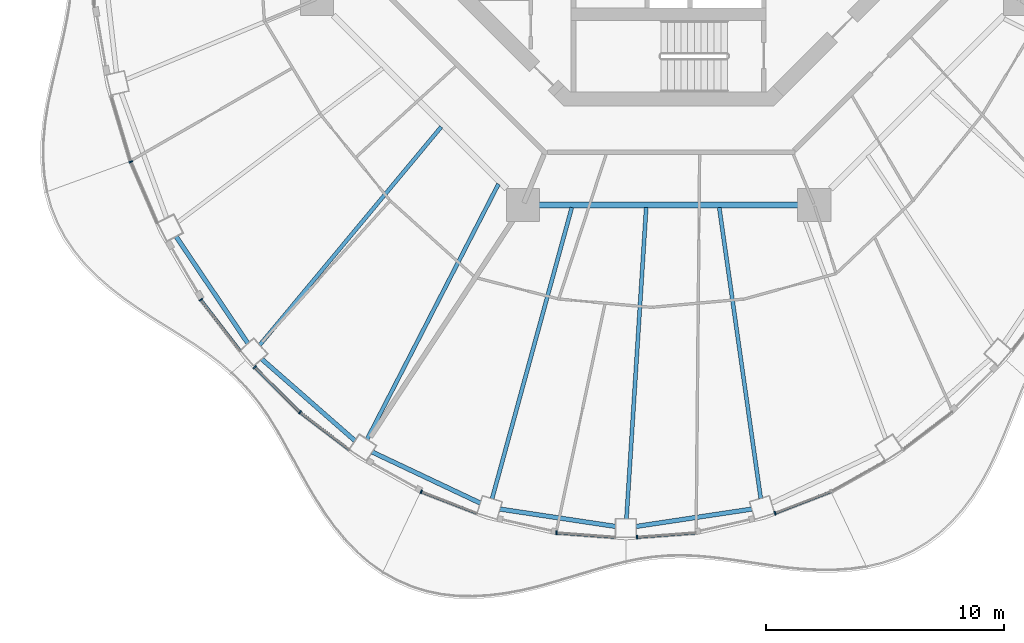
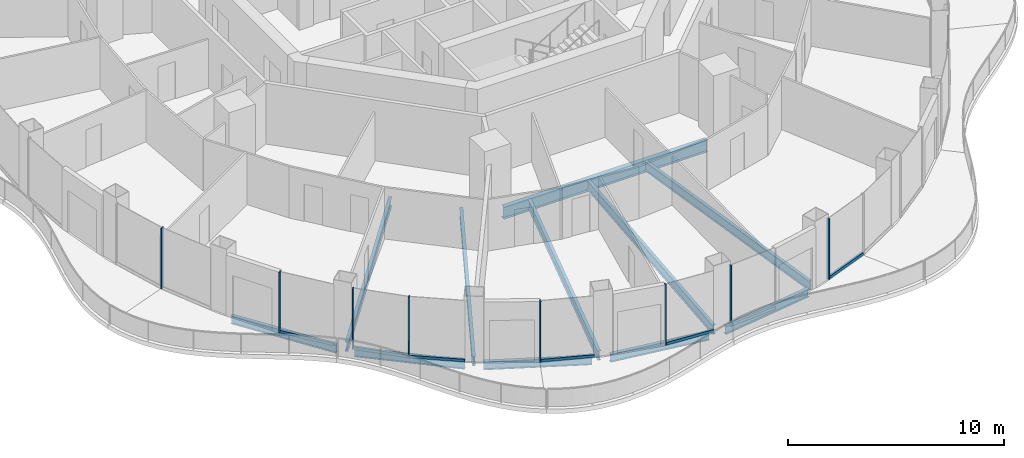
# One storey, part 2 of 17: 15 members, 11 beams, 8 elements without a shape of their own.
"""IFC4 building model written with IfcOpenShell, lengths in metres."""

from ifc_helpers import new_model, si_unit, direction, frame, origin, origin_2d, place, context, subcontext, project, spatial, rectangle, i_section, extrude, material, layer, layer_set, material_profile, profile_set, type_object, element, aggregate, save


model = new_model("IFC4")

# Units and contexts
model_context = context("Model", 3, precision=1e-05, world=origin(), true_north=direction((0.0, 1.0)))
body_context = subcontext(model_context, "Body", "Model", "MODEL_VIEW")
ifc_project = project(units=[si_unit("LENGTHUNIT", "METRE"), si_unit("AREAUNIT", "SQUARE_METRE"), si_unit("VOLUMEUNIT", "CUBIC_METRE"), si_unit("PLANEANGLEUNIT", "RADIAN"), si_unit("MASSUNIT", "GRAM", prefix="KILO")], contexts=[model_context])

# Site, building, storey
site_placement = place(None, origin())
site = spatial("IfcSite", under=ifc_project, at=site_placement, CompositionType="ELEMENT")
building_placement = place(site_placement, origin())
building = spatial("IfcBuilding", under=site, at=building_placement, Name="Nagisa Residences", CompositionType="ELEMENT")
storey_placement = place(building_placement, frame((0.0, 0.0, 265.89990234375)))
storey = spatial("IfcBuildingStorey", under=building, at=storey_placement, Name="L67", CompositionType="ELEMENT", Elevation=265.89990234375)

# Curtain wall, member
ifc_material_1 = material(Name="Concrete-coloured aluminium curtain wall system", Category="concrete")
ifc_layer = layer(ifc_material_1, 0.159912109375)
ifc_layer_set = layer_set([ifc_layer], Name="CW1 CURTAIN WALL")
curtain_wall_type = type_object("IfcCurtainWallType", Name="CW1 CURTAIN WALL", PredefinedType="NOTDEFINED", material=ifc_layer_set)
curtain_wall_1_placement = place(storey_placement, origin())
curtain_wall_1 = element("IfcCurtainWall", 1, at=curtain_wall_1_placement, inside=storey, type_object=curtain_wall_type, Name="cw:CW1:L67:27", PredefinedType="NOTDEFINED")
ifc_material_2 = material(Name="Concrete-coloured aluminium", Category="concrete")
ifc_material_profile_1 = material_profile(ifc_material_2, rectangle(XDim=0.159912109375, YDim=0.06005859375, at=origin_2d()), Name="CW1 MULLION 160x60")
ifc_profile_set_1 = profile_set([ifc_material_profile_1], Name="Concrete-coloured aluminium")
member_type_1 = type_object("IfcMemberType", Name="CW1 MULLION 160x60", PredefinedType="MULLION", material=ifc_profile_set_1)
member_1_placement = place(storey_placement, frame((-22.61279296875, -12.963623046875, 0.0), z_axis=(0.0, 0.0, 1.0), x_axis=(0.917543276295, 0.397635934147, 0.0)))
member_1 = element("IfcMember", 2, at=member_1_placement, type_object=member_type_1, Name="CW1 mullion", PredefinedType="MULLION", context=body_context, shape_type="SweptSolid", body=[
    extrude(rectangle(XDim=0.159912109375, YDim=0.06005859375, at=origin_2d()), origin(), (0.0, 0.0, 1.0), 3.440185546875),
])
aggregate(curtain_wall_1, [member_1])

curtain_wall_2_placement = place(storey_placement, origin())
curtain_wall_2 = element("IfcCurtainWall", 3, at=curtain_wall_2_placement, inside=storey, type_object=curtain_wall_type, Name="cw:CW1:L67:29", PredefinedType="NOTDEFINED")
member_2_placement = place(storey_placement, frame((-19.6640625, -18.76220703125, 0.0), z_axis=(0.0, 0.0, 1.0), x_axis=(0.792070340816, 0.610429828235, 0.0)))
member_2 = element("IfcMember", 4, at=member_2_placement, type_object=member_type_1, Name="CW1 mullion", PredefinedType="MULLION", context=body_context, shape_type="SweptSolid", body=[
    extrude(rectangle(XDim=0.159912109375, YDim=0.06005859375, at=origin_2d()), origin(), (0.0, 0.0, 1.0), 3.440185546875),
])

curtain_wall_3_placement = place(storey_placement, origin())
curtain_wall_3 = element("IfcCurtainWall", 5, at=curtain_wall_3_placement, inside=storey, type_object=curtain_wall_type, Name="cw:CW1:L67:30", PredefinedType="NOTDEFINED")
member_3_placement = place(storey_placement, frame((-17.3984375, -21.60107421875, 0.0), z_axis=(0.0, 0.0, 1.0), x_axis=(0.706376885714, 0.707835924016, 0.0)))
member_3 = element("IfcMember", 6, at=member_3_placement, type_object=member_type_1, Name="CW1 mullion", PredefinedType="MULLION", context=body_context, shape_type="SweptSolid", body=[
    extrude(rectangle(XDim=0.159912109375, YDim=0.06005859375, at=origin_2d()), origin(), (0.0, 0.0, 1.0), 3.440185546875),
])

curtain_wall_4_placement = place(storey_placement, origin())
curtain_wall_4 = element("IfcCurtainWall", 7, at=curtain_wall_4_placement, inside=storey, type_object=curtain_wall_type, Name="cw:CW1:L67:31", PredefinedType="NOTDEFINED")
member_4_placement = place(storey_placement, frame((-15.497802734375, -23.4931640625, 0.0), z_axis=(0.0, 0.0, 1.0), x_axis=(0.605255421737, 0.79603132756, 0.0)))
member_4 = element("IfcMember", 8, at=member_4_placement, type_object=member_type_1, Name="CW1 mullion", PredefinedType="MULLION", context=body_context, shape_type="SweptSolid", body=[
    extrude(rectangle(XDim=0.159912109375, YDim=0.06005859375, at=origin_2d()), origin(), (0.0, 0.0, 1.0), 3.440185546875),
])

curtain_wall_5_placement = place(storey_placement, origin())
curtain_wall_5 = element("IfcCurtainWall", 9, at=curtain_wall_5_placement, inside=storey, type_object=curtain_wall_type, Name="cw:CW1:L67:33", PredefinedType="NOTDEFINED")
member_5_placement = place(storey_placement, frame((-10.3994140625, -26.83447265625, 0.0), z_axis=(0.0, 0.0, 1.0), x_axis=(0.360327770268, 0.932825759707, 0.0)))
member_5 = element("IfcMember", 10, at=member_5_placement, type_object=member_type_1, Name="CW1 mullion", PredefinedType="MULLION", context=body_context, shape_type="SweptSolid", body=[
    extrude(rectangle(XDim=0.159912109375, YDim=0.06005859375, at=origin_2d()), origin(), (0.0, 0.0, 1.0), 3.440185546875),
])

curtain_wall_6_placement = place(storey_placement, origin())
curtain_wall_6 = element("IfcCurtainWall", 11, at=curtain_wall_6_placement, inside=storey, type_object=curtain_wall_type, Name="cw:CW1:L67:35", PredefinedType="NOTDEFINED")
member_6_placement = place(storey_placement, frame((-4.716552734375, -28.559814453125, 0.0), z_axis=(0.0, 0.0, 1.0), x_axis=(0.074377355493, 0.997230168512, 0.0)))
member_6 = element("IfcMember", 12, at=member_6_placement, type_object=member_type_1, Name="CW1 mullion", PredefinedType="MULLION", context=body_context, shape_type="SweptSolid", body=[
    extrude(rectangle(XDim=0.159912109375, YDim=0.06005859375, at=origin_2d()), origin(), (0.0, 0.0, 1.0), 3.440185546875),
])

curtain_wall_7_placement = place(storey_placement, origin())
curtain_wall_7 = element("IfcCurtainWall", 13, at=curtain_wall_7_placement, inside=storey, type_object=curtain_wall_type, Name="cw:CW1:L67:36", PredefinedType="NOTDEFINED")
member_7_placement = place(storey_placement, frame((-1.327392578125, -28.7421875, 0.0), z_axis=(0.0, 0.0, 1.0), x_axis=(-0.074377355493, 0.997230168512, 0.0)))
member_7 = element("IfcMember", 14, at=member_7_placement, type_object=member_type_1, Name="CW1 mullion", PredefinedType="MULLION", context=body_context, shape_type="SweptSolid", body=[
    extrude(rectangle(XDim=0.159912109375, YDim=0.06005859375, at=origin_2d()), origin(), (0.0, 0.0, 1.0), 3.440185546875),
])

curtain_wall_8_placement = place(storey_placement, origin())
curtain_wall_8 = element("IfcCurtainWall", 15, at=curtain_wall_8_placement, inside=storey, type_object=curtain_wall_type, Name="cw:CW1:L67:38", PredefinedType="NOTDEFINED")
member_8_placement = place(storey_placement, frame((4.473388671875, -27.733154296875, 0.0), z_axis=(0.0, 0.0, 1.0), x_axis=(-0.360327770268, 0.932825759707, 0.0)))
member_8 = element("IfcMember", 16, at=member_8_placement, type_object=member_type_1, Name="CW1 mullion", PredefinedType="MULLION", context=body_context, shape_type="SweptSolid", body=[
    extrude(rectangle(XDim=0.159912109375, YDim=0.06005859375, at=origin_2d()), origin(), (0.0, 0.0, 1.0), 3.440185546875),
])

# Member
ifc_material_3 = material(Name="Concrete-coloured aluminium", Category="concrete")
ifc_material_profile_2 = material_profile(ifc_material_3, rectangle(XDim=0.1201171875, YDim=0.14990234375, at=origin_2d()), Name="CW1 TRANSOM 120x150")
ifc_profile_set_2 = profile_set([ifc_material_profile_2], Name="Concrete-coloured aluminium")
member_type_2 = type_object("IfcMemberType", Name="CW1 TRANSOM 120x150", PredefinedType="USERDEFINED", material=ifc_profile_set_2)
member_9_placement = place(storey_placement, frame((-19.682373046875, -18.73828125, 0.0751953125), z_axis=(0.610432336622, -0.792068407656, 0.0), x_axis=(0.792068407656, 0.610432336622, 0.0)))
member_9 = element("IfcMember", 17, at=member_9_placement, type_object=member_type_2, Name="CW1 transom", ObjectType="TRANSOM", PredefinedType="USERDEFINED", context=body_context, shape_type="SweptSolid", body=[
    extrude(rectangle(XDim=0.1201171875, YDim=0.14990234375, at=origin_2d()), origin(), (0.0, 0.0, 1.0), 2.74609375),
])

aggregate(curtain_wall_2, [member_2, member_9])

member_10_placement = place(storey_placement, frame((-17.419677734375, -21.579833984375, 0.0751953125), z_axis=(0.707831739508, -0.706381078841, 0.0), x_axis=(0.706381078841, 0.707831739508, 0.0)))
member_10 = element("IfcMember", 18, at=member_10_placement, type_object=member_type_2, Name="CW1 transom", ObjectType="TRANSOM", PredefinedType="USERDEFINED", context=body_context, shape_type="SweptSolid", body=[
    extrude(rectangle(XDim=0.1201171875, YDim=0.14990234375, at=origin_2d()), origin(), (0.0, 0.0, 1.0), 2.692626953125),
])

aggregate(curtain_wall_3, [member_3, member_10])

member_11_placement = place(storey_placement, frame((-15.521728515625, -23.474853515625, 0.0751953125), z_axis=(0.796010739377, -0.605282498339, 0.0), x_axis=(0.605282498339, 0.796010739377, 0.0)))
member_11 = element("IfcMember", 19, at=member_11_placement, type_object=member_type_2, Name="CW1 transom", ObjectType="TRANSOM", PredefinedType="USERDEFINED", context=body_context, shape_type="SweptSolid", body=[
    extrude(rectangle(XDim=0.1201171875, YDim=0.14990234375, at=origin_2d()), origin(), (0.0, 0.0, 1.0), 2.640625),
])

aggregate(curtain_wall_4, [member_4, member_11])

member_12_placement = place(storey_placement, frame((-10.427490234375, -26.82373046875, 0.0751953125), z_axis=(0.93282223778, -0.360336887792, 0.0), x_axis=(0.360336887792, 0.93282223778, 0.0)))
member_12 = element("IfcMember", 20, at=member_12_placement, type_object=member_type_2, Name="CW1 transom", ObjectType="TRANSOM", PredefinedType="USERDEFINED", context=body_context, shape_type="SweptSolid", body=[
    extrude(rectangle(XDim=0.1201171875, YDim=0.14990234375, at=origin_2d()), origin(), (0.0, 0.0, 1.0), 2.5537109375),
])

aggregate(curtain_wall_5, [member_5, member_12])

member_13_placement = place(storey_placement, frame((-4.74658203125, -28.5576171875, 0.0751953125), z_axis=(0.99722914645, -0.074391057731, 0.0), x_axis=(0.074391057731, 0.99722914645, 0.0)))
member_13 = element("IfcMember", 21, at=member_13_placement, type_object=member_type_2, Name="CW1 transom", ObjectType="TRANSOM", PredefinedType="USERDEFINED", context=body_context, shape_type="SweptSolid", body=[
    extrude(rectangle(XDim=0.1201171875, YDim=0.14990234375, at=origin_2d()), origin(), (0.0, 0.0, 1.0), 2.510498046875),
])

aggregate(curtain_wall_6, [member_6, member_13])

member_14_placement = place(storey_placement, frame((-1.357177734375, -28.744384765625, 0.0751953125), z_axis=(0.99722914645, 0.074391057731, 0.0), x_axis=(-0.074391057731, 0.99722914645, 0.0)))
member_14 = element("IfcMember", 22, at=member_14_placement, type_object=member_type_2, Name="CW1 transom", ObjectType="TRANSOM", PredefinedType="USERDEFINED", context=body_context, shape_type="SweptSolid", body=[
    extrude(rectangle(XDim=0.1201171875, YDim=0.14990234375, at=origin_2d()), origin(), (0.0, 0.0, 1.0), 2.510498046875),
])

aggregate(curtain_wall_7, [member_7, member_14])

member_15_placement = place(storey_placement, frame((4.4453125, -27.743896484375, 0.0751953125), z_axis=(0.93282223778, 0.360336887792, 0.0), x_axis=(-0.360336887792, 0.93282223778, 0.0)))
member_15 = element("IfcMember", 23, at=member_15_placement, type_object=member_type_2, Name="CW1 transom", ObjectType="TRANSOM", PredefinedType="USERDEFINED", context=body_context, shape_type="SweptSolid", body=[
    extrude(rectangle(XDim=0.1201171875, YDim=0.14990234375, at=origin_2d()), origin(), (0.0, 0.0, 1.0), 2.5537109375),
])

aggregate(curtain_wall_8, [member_8, member_15])

# Beams
ifc_material_4 = material(Name="Steel ASTM A572 Gr 50", Category="steel")
ifc_material_profile_3 = material_profile(ifc_material_4, i_section(OverallWidth=0.2529296875, OverallDepth=0.677978515625, WebThickness=0.01171875, FlangeThickness=0.016357421875, at=origin_2d()), Name="W690x125")
ifc_profile_set_3 = profile_set([ifc_material_profile_3], Name="Steel ASTM A572 Gr 50")
beam_type_1 = type_object("IfcBeamType", Name="Inner ring beam W690x125", PredefinedType="BEAM", material=ifc_profile_set_3)
beam_1_placement = place(storey_placement, frame((-5.44287109375, -14.781982421875, -0.598876953125), z_axis=(1.0, 0.0, 0.0), x_axis=(0.0, 1.0, 0.0)))
element("IfcBeam", 24, at=beam_1_placement, inside=storey, type_object=beam_type_1, Name="beam:L67:ib6", PredefinedType="BEAM", context=body_context, shape_type="SweptSolid", body=[
    extrude(i_section(OverallWidth=0.2529296875, OverallDepth=0.677978515625, WebThickness=0.01171875, FlangeThickness=0.016357421875, at=origin_2d()), origin(), (0.0, 0.0, 1.0), 10.8857421875),
])
ifc_material_5 = material(Name="Steel ASTM A572 Gr 50", Category="steel")
ifc_material_profile_4 = material_profile(ifc_material_5, i_section(OverallWidth=0.18994140625, OverallDepth=0.45703125, WebThickness=0.009033203125, FlangeThickness=0.014404296875, at=origin_2d()), Name="W460x74")
ifc_profile_set_4 = profile_set([ifc_material_profile_4], Name="Steel ASTM A572 Gr 50")
beam_type_2 = type_object("IfcBeamType", Name="Perimeter ring beam W460x74", PredefinedType="BEAM", material=ifc_profile_set_4)
beam_2_placement = place(storey_placement, frame((-20.714599609375, -16.097412109375, -0.48828125), z_axis=(0.558014665254, -0.829831087247, 0.0), x_axis=(0.829831087247, 0.558014665254, 0.0)))
element("IfcBeam", 25, at=beam_2_placement, inside=storey, type_object=beam_type_2, Name="beam:L67:pb15", PredefinedType="BEAM", context=body_context, shape_type="SweptSolid", body=[
    extrude(i_section(OverallWidth=0.18994140625, OverallDepth=0.45703125, WebThickness=0.009033203125, FlangeThickness=0.014404296875, at=origin_2d()), origin(), (0.0, 0.0, 1.0), 5.43212890625),
])
beam_3_placement = place(storey_placement, frame((-17.11474609375, -21.2509765625, -0.48828125), z_axis=(0.752365189148, -0.658746250204, 0.0), x_axis=(0.658746250204, 0.752365189148, 0.0)))
element("IfcBeam", 26, at=beam_3_placement, inside=storey, type_object=beam_type_2, Name="beam:L67:pb16", PredefinedType="BEAM", context=body_context, shape_type="SweptSolid", body=[
    extrude(i_section(OverallWidth=0.18994140625, OverallDepth=0.45703125, WebThickness=0.009033203125, FlangeThickness=0.014404296875, at=origin_2d()), origin(), (0.0, 0.0, 1.0), 5.220947265625),
])
beam_4_placement = place(storey_placement, frame((-12.46728515625, -25.161865234375, -0.48828125), z_axis=(0.904115893837, -0.427287316113, 0.0), x_axis=(0.427287316113, 0.904115893837, 0.0)))
element("IfcBeam", 27, at=beam_4_placement, inside=storey, type_object=beam_type_2, Name="beam:L67:pb17", PredefinedType="BEAM", context=body_context, shape_type="SweptSolid", body=[
    extrude(i_section(OverallWidth=0.18994140625, OverallDepth=0.45703125, WebThickness=0.009033203125, FlangeThickness=0.014404296875, at=origin_2d()), origin(), (0.0, 0.0, 1.0), 5.031494140625),
])
beam_5_placement = place(storey_placement, frame((-7.094970703125, -27.562255859375, -0.48828125), z_axis=(0.98890648267, -0.148539451101, 0.0), x_axis=(0.148539451101, 0.98890648267, 0.0)))
element("IfcBeam", 28, at=beam_5_placement, inside=storey, type_object=beam_type_2, Name="beam:L67:pb18", PredefinedType="BEAM", context=body_context, shape_type="SweptSolid", body=[
    extrude(i_section(OverallWidth=0.18994140625, OverallDepth=0.45703125, WebThickness=0.009033203125, FlangeThickness=0.014404296875, at=origin_2d()), origin(), (0.0, 0.0, 1.0), 4.91943359375),
])
beam_6_placement = place(storey_placement, frame((-1.369873046875, -28.29296875, -0.48828125), z_axis=(0.988907577601, 0.148532161377, 0.0), x_axis=(-0.148532161377, 0.988907577601, 0.0)))
element("IfcBeam", 29, at=beam_6_placement, inside=storey, type_object=beam_type_2, Name="beam:L67:pb19", PredefinedType="BEAM", context=body_context, shape_type="SweptSolid", body=[
    extrude(i_section(OverallWidth=0.18994140625, OverallDepth=0.45703125, WebThickness=0.009033203125, FlangeThickness=0.014404296875, at=origin_2d()), origin(), (0.0, 0.0, 1.0), 4.919677734375),
])
ifc_material_6 = material(Name="Steel ASTM A572 Gr 50", Category="steel")
ifc_material_profile_5 = material_profile(ifc_material_6, i_section(OverallWidth=0.166015625, OverallDepth=0.534912109375, WebThickness=0.01025390625, FlangeThickness=0.0166015625, at=origin_2d()), Name="W530x85")
ifc_profile_set_5 = profile_set([ifc_material_profile_5], Name="Steel ASTM A572 Gr 50")
beam_type_3 = type_object("IfcBeamType", Name="Radial beam W530x85", PredefinedType="BEAM", material=ifc_profile_set_5)
beam_7_placement = place(storey_placement, frame((-17.195068359375, -20.669189453125, -0.52734375), z_axis=(0.639540330466, 0.768757546764, 0.0), x_axis=(-0.768757546764, 0.639540330466, 0.0)))
element("IfcBeam", 30, at=beam_7_placement, inside=storey, type_object=beam_type_3, Name="beam:L67:rb16", PredefinedType="BEAM", context=body_context, shape_type="SweptSolid", body=[
    extrude(i_section(OverallWidth=0.166015625, OverallDepth=0.534912109375, WebThickness=0.01025390625, FlangeThickness=0.0166015625, at=origin_2d()), origin(), (0.0, 0.0, 1.0), 11.935302734375),
])
beam_8_placement = place(storey_placement, frame((-12.68505859375, -24.63623046875, -0.52734375), z_axis=(0.457775990682, 0.88906756906, 0.0), x_axis=(-0.88906756906, 0.457775990682, 0.0)))
element("IfcBeam", 31, at=beam_8_placement, inside=storey, type_object=beam_type_3, Name="beam:L67:rb17", PredefinedType="BEAM", context=body_context, shape_type="SweptSolid", body=[
    extrude(i_section(OverallWidth=0.166015625, OverallDepth=0.534912109375, WebThickness=0.01025390625, FlangeThickness=0.0166015625, at=origin_2d()), origin(), (0.0, 0.0, 1.0), 12.075927734375),
])
beam_9_placement = place(storey_placement, frame((-7.4248046875, -27.130859375, -0.52734375), z_axis=(0.263957181957, 0.964534398606, 0.0), x_axis=(-0.964534398606, 0.263957181957, 0.0)))
element("IfcBeam", 32, at=beam_9_placement, inside=storey, type_object=beam_type_3, Name="beam:L67:rb18", PredefinedType="BEAM", context=body_context, shape_type="SweptSolid", body=[
    extrude(i_section(OverallWidth=0.166015625, OverallDepth=0.534912109375, WebThickness=0.01025390625, FlangeThickness=0.0166015625, at=origin_2d()), origin(), (0.0, 0.0, 1.0), 12.69189453125),
])
beam_10_placement = place(storey_placement, frame((-1.77587890625, -27.9775390625, -0.52734375), z_axis=(0.06334711, 0.997991554901, 0.0), x_axis=(-0.997991554901, 0.06334711, 0.0)))
element("IfcBeam", 33, at=beam_10_placement, inside=storey, type_object=beam_type_3, Name="beam:L67:rb19", PredefinedType="BEAM", context=body_context, shape_type="SweptSolid", body=[
    extrude(i_section(OverallWidth=0.166015625, OverallDepth=0.534912109375, WebThickness=0.01025390625, FlangeThickness=0.0166015625, at=origin_2d()), origin(), (0.0, 0.0, 1.0), 13.115234375),
])
beam_11_placement = place(storey_placement, frame((3.87060546875, -27.11669921875, -0.52734375), z_axis=(-0.141302367909, 0.989966484697, 0.0), x_axis=(-0.989966484697, -0.141302367909, 0.0)))
element("IfcBeam", 34, at=beam_11_placement, inside=storey, type_object=beam_type_3, Name="beam:L67:rb20", PredefinedType="BEAM", context=body_context, shape_type="SweptSolid", body=[
    extrude(i_section(OverallWidth=0.166015625, OverallDepth=0.534912109375, WebThickness=0.01025390625, FlangeThickness=0.0166015625, at=origin_2d()), origin(), (0.0, 0.0, 1.0), 12.35205078125),
])

save(model, "model.ifc")
